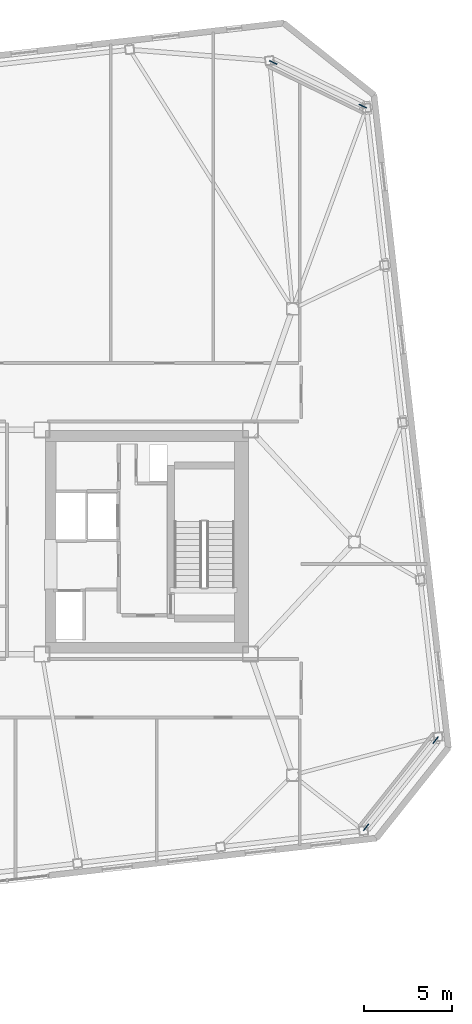
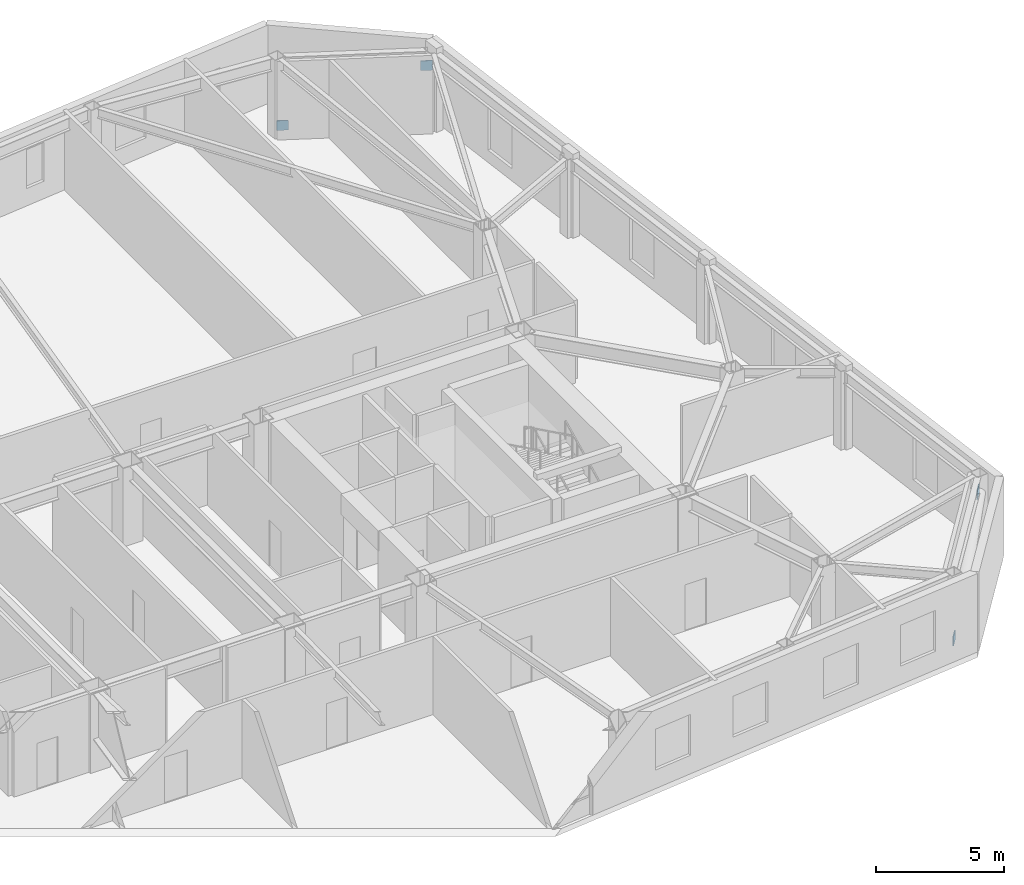
# One storey, part 18 of 19: 4 discrete accessories.
"""IFC4 building model written with IfcOpenShell, lengths in metres."""

from ifc_helpers import new_model, si_unit, direction, frame, origin, origin_2d, place, context, subcontext, project, spatial, rectangle, extrude, material, type_object, element, save


model = new_model("IFC4")

# Units and contexts
model_context = context("Model", 3, precision=1e-05, world=origin(), true_north=direction((0.0, 1.0)))
body_context = subcontext(model_context, "Body", "Model", "MODEL_VIEW")
ifc_project = project(units=[si_unit("LENGTHUNIT", "METRE"), si_unit("AREAUNIT", "SQUARE_METRE"), si_unit("VOLUMEUNIT", "CUBIC_METRE"), si_unit("PLANEANGLEUNIT", "RADIAN"), si_unit("MASSUNIT", "GRAM", prefix="KILO")], contexts=[model_context])

# Site, building, storey
site_placement = place(None, origin())
site = spatial("IfcSite", under=ifc_project, at=site_placement, CompositionType="ELEMENT")
building_placement = place(site_placement, origin())
building = spatial("IfcBuilding", under=site, at=building_placement, Name="Tavrogorsk Clinical Tower", CompositionType="ELEMENT")
storey_placement = place(building_placement, frame((0.0, 0.0, 218.199951171875)))
storey = spatial("IfcBuildingStorey", under=building, at=storey_placement, Name="L50", CompositionType="ELEMENT", Elevation=218.199951171875)

# Discrete accessories
ifc_material = material(Name="Structural steel S440", Category="steel")
discrete_accessory_type = type_object("IfcDiscreteAccessoryType", Name="GussetPlateBracket_25", PredefinedType="BRACKET", material=ifc_material)
for number, where, z_axis, x_axis, name in (
    (1, (28.6572265625, -16.15869140625, 0.168212890625), (0.0, 0.0, 1.0), (0.622514636638, 0.782608156852, 0.0), "L50 Brace Gusset Plate EXOCRN-L50-1-A"),
    (2, (32.5859375, -11.2197265625, 2.761962890625), (0.0, 0.0, 1.0), (0.622514636638, 0.782608156852, 0.0), "L50 Brace Gusset Plate EXOCRN-L50-1-B"),
    (3, (23.399169921875, 27.150634765625, 0.17724609375), (0.0, 0.0, 1.0), (0.898794046299, -0.438371146789, 0.0), "L50 Brace Gusset Plate EXOCRN-L50-2-A"),
    (4, (28.46630859375, 24.679443359375, 2.7529296875), (0.0, 0.0, 1.0), (0.898794046299, -0.438371146789, 0.0), "L50 Brace Gusset Plate EXOCRN-L50-2-B"),
):
    element("IfcDiscreteAccessory", number, at=place(storey_placement, frame(where, z_axis=z_axis, x_axis=x_axis)), inside=storey, type_object=discrete_accessory_type, Name=name, PredefinedType="BRACKET", context=body_context, shape_type="SweptSolid", body=[
        extrude(rectangle(XDim=0.4599609375, YDim=0.0400390625, at=origin_2d()), origin(), (0.0, 0.0, 1.0), 0.4599609375),
    ])

save(model, "model.ifc")
